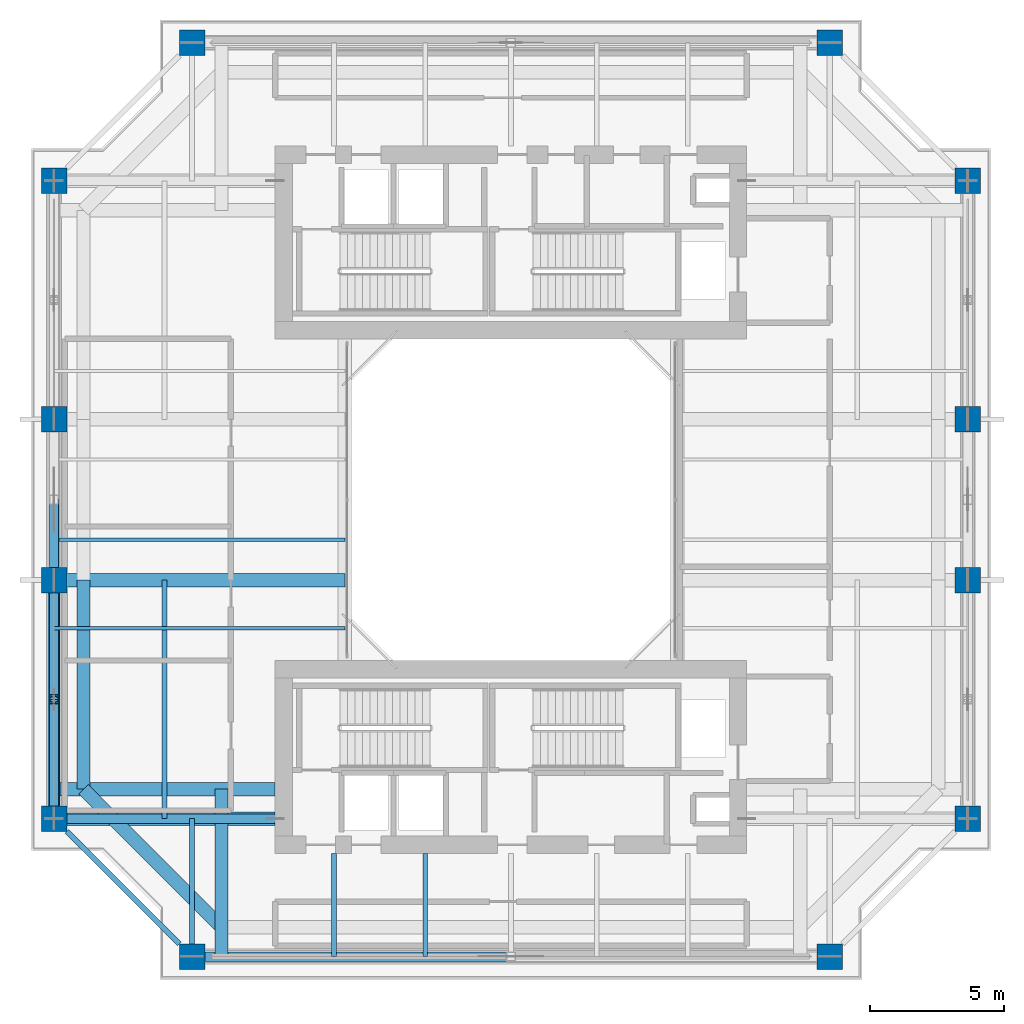
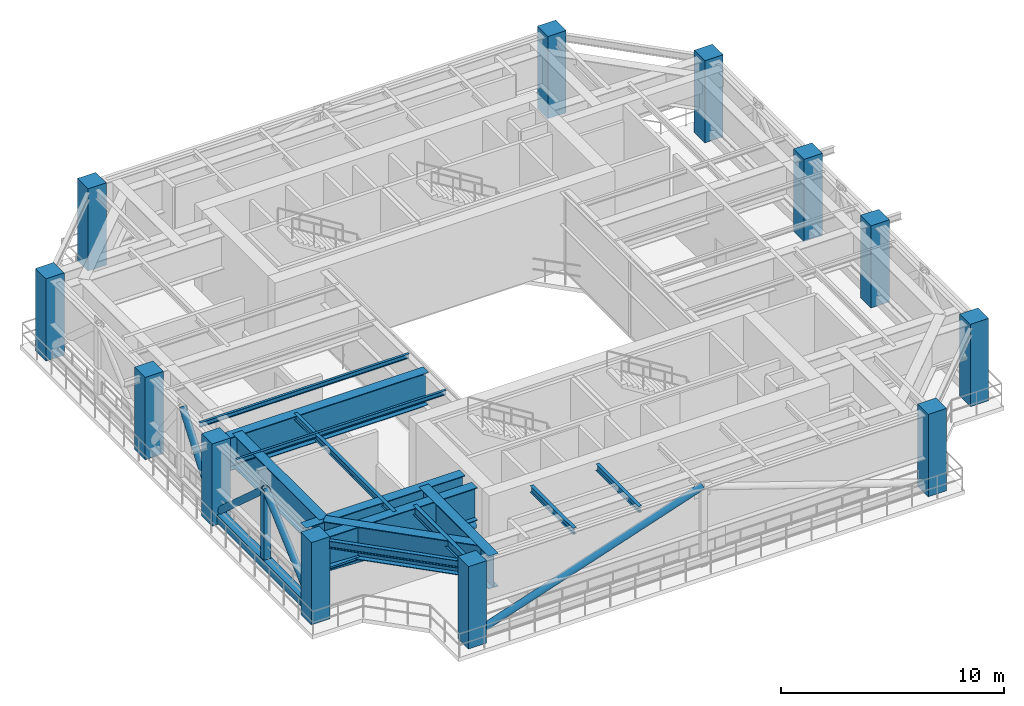
# One storey, part 1 of 11: 13 beams, 12 columns, 7 members.
"""IFC4 building model written with IfcOpenShell, lengths in metres."""

from ifc_helpers import new_model, si_unit, direction, frame, origin, origin_2d, place, context, subcontext, project, spatial, rectangle, hollow_rectangle, hollow_circle, i_section, extrude, source, transform, mapped, material, material_profile, profile_set, type_object, element, save


model = new_model("IFC4")

# Units and contexts
model_context = context("Model", 3, precision=1e-05, world=origin(), true_north=direction((0.0, 1.0)))
body_context = subcontext(model_context, "Body", "Model", "MODEL_VIEW")
ifc_project = project(units=[si_unit("LENGTHUNIT", "METRE"), si_unit("AREAUNIT", "SQUARE_METRE"), si_unit("VOLUMEUNIT", "CUBIC_METRE"), si_unit("PLANEANGLEUNIT", "RADIAN"), si_unit("MASSUNIT", "GRAM", prefix="KILO"), si_unit("THERMODYNAMICTEMPERATUREUNIT", "KELVIN"), si_unit("POWERUNIT", "WATT")], contexts=[model_context])

# Site, building, storey
site_placement = place(None, origin())
site = spatial("IfcSite", under=ifc_project, at=site_placement, CompositionType="ELEMENT")
building_placement = place(site_placement, origin())
building = spatial("IfcBuilding", under=site, at=building_placement, Name="Qiaomeng Ring Towers", CompositionType="ELEMENT")
storey_placement = place(building_placement, frame((0.0, 0.0, 186.0)))
storey = spatial("IfcBuildingStorey", under=building, at=storey_placement, Name="L54", CompositionType="ELEMENT", Elevation=186.0)

# Columns
ifc_material_1 = material(Name="Concrete C50", Category="concrete")
ifc_material_profile_1 = material_profile(ifc_material_1, rectangle(XDim=0.949951171875, YDim=0.949951171875, at=origin_2d()), Name="RC COL 950x950")
ifc_profile_set_1 = profile_set([ifc_material_profile_1], Name="Concrete C50")
column_type = type_object("IfcColumnType", Name="STR-COL-950-C50", PredefinedType="COLUMN", material=ifc_profile_set_1)
shared_shape_1 = source(origin(), body_context, "Body", "SweptSolid", [
    extrude(rectangle(XDim=0.949951171875, YDim=0.949951171875, at=origin_2d()), origin(), (0.0, 0.0, 1.0), 4.5),
])
for number, where, z_axis, x_axis, name in (
    (1, (7.10009765625, 5.949951171875, 0.0), (0.0, 0.0, 1.0), (1.0, 0.0, 0.0), "L54 column STR-COL-L54-T1-S1"),
    (2, (30.89990234375, 5.949951171875, 0.0), (0.0, 0.0, 1.0), (1.0, 0.0, 0.0), "L54 column STR-COL-L54-T1-S2"),
    (3, (36.050048828125, 11.10009765625, 0.0), (0.0, 0.0, 1.0), (1.0, 0.0, 0.0), "L54 column STR-COL-L54-T1-E1"),
    (4, (36.050048828125, 20.0, 0.0), (0.0, 0.0, 1.0), (1.0, 0.0, 0.0), "L54 column STR-COL-L54-T1-E2"),
    (5, (36.050048828125, 26.0, 0.0), (0.0, 0.0, 1.0), (1.0, 0.0, 0.0), "L54 column STR-COL-L54-T1-E3"),
    (6, (36.050048828125, 34.89990234375, 0.0), (0.0, 0.0, 1.0), (1.0, 0.0, 0.0), "L54 column STR-COL-L54-T1-E4"),
    (7, (30.89990234375, 40.050048828125, 0.0), (0.0, 0.0, 1.0), (1.0, 0.0, 0.0), "L54 column STR-COL-L54-T1-N2"),
    (8, (7.10009765625, 40.050048828125, 0.0), (0.0, 0.0, 1.0), (1.0, 0.0, 0.0), "L54 column STR-COL-L54-T1-N1"),
    (9, (1.949951171875, 34.89990234375, 0.0), (0.0, 0.0, 1.0), (1.0, 0.0, 0.0), "L54 column STR-COL-L54-T1-W4"),
    (10, (1.949951171875, 26.0, 0.0), (0.0, 0.0, 1.0), (1.0, 0.0, 0.0), "L54 column STR-COL-L54-T1-W3"),
    (11, (1.949951171875, 20.0, 0.0), (0.0, 0.0, 1.0), (1.0, 0.0, 0.0), "L54 column STR-COL-L54-T1-W2"),
    (12, (1.949951171875, 11.10009765625, 0.0), (0.0, 0.0, 1.0), (1.0, 0.0, 0.0), "L54 column STR-COL-L54-T1-W1"),
):
    element("IfcColumn", number, at=place(storey_placement, frame(where, z_axis=z_axis, x_axis=x_axis)), inside=storey, type_object=column_type, Name=name, PredefinedType="COLUMN", context=body_context, shape_type="MappedRepresentation", body=[
        mapped(shared_shape_1, transform((0.0, 0.0, 0.0), x_axis=(1.0, 0.0, 0.0), y_axis=(0.0, 1.0, 0.0), z_axis=(0.0, 0.0, 1.0), scale=1.0)),
    ])

# Member
ifc_material_2 = material(Name="Steel Q390GJC", Category="steel")
ifc_material_profile_2 = material_profile(ifc_material_2, hollow_rectangle(XDim=0.35009765625, YDim=0.35009765625, WallThickness=0.02001953125, at=origin_2d()), Name="SHS 350x350x20")
ifc_profile_set_2 = profile_set([ifc_material_profile_2], Name="Steel Q390GJC")
member_type_1 = type_object("IfcMemberType", Name="STR-MB-POST-350", PredefinedType="POST", material=ifc_profile_set_2)
shared_shape_2 = source(origin(), body_context, "Body", "SweptSolid", [
    extrude(hollow_rectangle(XDim=0.35009765625, YDim=0.35009765625, WallThickness=0.02001953125, at=origin_2d()), origin(), (0.0, 0.0, 1.0), 4.0),
])
member_1_placement = place(storey_placement, frame((1.949951171875, 15.550048828125, 0.320068359375), z_axis=(0.0, 0.0, 1.0), x_axis=(1.0, 0.0, 0.0)))
element("IfcMember", 13, at=member_1_placement, inside=storey, type_object=member_type_1, Name="L54 Belt Truss Post W2-W1", PredefinedType="POST", context=body_context, shape_type="MappedRepresentation", body=[
    mapped(shared_shape_2, transform((0.0, 0.0, 0.0), x_axis=(1.0, 0.0, 0.0), y_axis=(0.0, 1.0, 0.0), z_axis=(0.0, 0.0, 1.0), scale=1.0)),
])

# Beams
ifc_material_3 = material(Name="Steel Q355B", Category="steel")
ifc_material_profile_3 = material_profile(ifc_material_3, i_section(OverallWidth=0.175048828125, OverallDepth=0.35009765625, WebThickness=0.007080078125, FlangeThickness=0.010986328125, FilletRadius=0.013916015625, at=origin_2d()), Name="HN 350x175x7x11")
ifc_profile_set_3 = profile_set([ifc_material_profile_3], Name="Steel Q355B")
beam_type_1 = type_object("IfcBeamType", Name="STR-BM-HN350", PredefinedType="JOIST", material=ifc_profile_set_3)
shared_shape_3 = source(origin(), body_context, "Body", "SweptSolid", [
    extrude(i_section(OverallWidth=0.175048828125, OverallDepth=0.35009765625, WebThickness=0.007080078125, FlangeThickness=0.010986328125, FilletRadius=0.013916015625, at=origin_2d()), origin(), (0.0, 0.0, 1.0), 3.85009765625),
])
for number, where, z_axis, x_axis, name in (
    (14, (12.39990234375, 5.949951171875, 4.14501953125), (0.0, 1.0, 0.0), (-1.0, 0.0, 0.0), "L54 beam STR-JST-L54-T1S-1"),
    (15, (15.800048828125, 5.949951171875, 4.14501953125), (0.0, 1.0, 0.0), (-1.0, 0.0, 0.0), "L54 beam STR-JST-L54-T1S-2"),
):
    element("IfcBeam", number, at=place(storey_placement, frame(where, z_axis=z_axis, x_axis=x_axis)), inside=storey, type_object=beam_type_1, Name=name, PredefinedType="JOIST", context=body_context, shape_type="MappedRepresentation", body=[
        mapped(shared_shape_3, transform((0.0, 0.0, 0.0), x_axis=(1.0, 0.0, 0.0), y_axis=(0.0, 1.0, 0.0), z_axis=(0.0, 0.0, 1.0), scale=1.0)),
    ])
ifc_material_profile_4 = material_profile(ifc_material_3, i_section(OverallWidth=0.125, OverallDepth=0.25, WebThickness=0.006103515625, FlangeThickness=0.009033203125, FilletRadius=0.011962890625, at=origin_2d()), Name="HN 250x125x6x9")
ifc_profile_set_4 = profile_set([ifc_material_profile_4], Name="Steel Q355B")
beam_type_2 = type_object("IfcBeamType", Name="STR-BM-HN250", PredefinedType="JOIST", material=ifc_profile_set_4)
shared_shape_4 = source(origin(), body_context, "Body", "SweptSolid", [
    extrude(i_section(OverallWidth=0.125, OverallDepth=0.25, WebThickness=0.006103515625, FlangeThickness=0.009033203125, FilletRadius=0.011962890625, at=origin_2d()), origin(), (0.0, 0.0, 1.0), 10.85009765625),
])
for number, where, z_axis, x_axis, name in (
    (16, (1.949951171875, 18.199951171875, 4.195068359375), (1.0, 0.0, 0.0), (0.0, 1.0, 0.0), "L54 beam STR-JST-L54-T1W-1"),
    (17, (1.949951171875, 21.5, 4.195068359375), (1.0, 0.0, 0.0), (0.0, 1.0, 0.0), "L54 beam STR-JST-L54-T1W-2"),
):
    element("IfcBeam", number, at=place(storey_placement, frame(where, z_axis=z_axis, x_axis=x_axis)), inside=storey, type_object=beam_type_2, Name=name, PredefinedType="JOIST", context=body_context, shape_type="MappedRepresentation", body=[
        mapped(shared_shape_4, transform((0.0, 0.0, 0.0), x_axis=(1.0, 0.0, 0.0), y_axis=(0.0, 1.0, 0.0), z_axis=(0.0, 0.0, 1.0), scale=1.0)),
    ])
shared_shape_5 = source(origin(), body_context, "Body", "SweptSolid", [
    extrude(i_section(OverallWidth=0.175048828125, OverallDepth=0.35009765625, WebThickness=0.007080078125, FlangeThickness=0.010986328125, FilletRadius=0.013916015625, at=origin_2d()), origin(), (0.0, 0.0, 1.0), 8.89990234375),
])
beam_1_placement = place(storey_placement, frame((6.074951171875, 11.10009765625, 4.14501953125), z_axis=(0.0, 1.0, 0.0), x_axis=(-1.0, 0.0, 0.0)))
element("IfcBeam", 18, at=beam_1_placement, inside=storey, type_object=beam_type_1, Name="L54 beam STR-JST-L54-T1C-WS", PredefinedType="JOIST", context=body_context, shape_type="MappedRepresentation", body=[
    mapped(shared_shape_5, transform((0.0, 0.0, 0.0), x_axis=(1.0, 0.0, 0.0), y_axis=(0.0, 1.0, 0.0), z_axis=(0.0, 0.0, 1.0), scale=1.0)),
])

# Members
ifc_material_profile_5 = material_profile(ifc_material_2, hollow_circle(Radius=0.177978515625, WallThickness=0.02001953125, at=origin_2d()), Name="CHS 356x20")
ifc_profile_set_5 = profile_set([ifc_material_profile_5], Name="Steel Q390GJC")
member_type_2 = type_object("IfcMemberType", Name="STR-MB-BR-356", PredefinedType="BRACE", material=ifc_profile_set_5)
shared_shape_6 = source(origin(), body_context, "Body", "SweptSolid", [
    extrude(hollow_circle(Radius=0.177978515625, WallThickness=0.02001953125, at=origin_2d()), origin(), (0.0, 0.0, 1.0), 12.5478515625),
])
member_2_placement = place(storey_placement, frame((7.10009765625, 5.949951171875, 0.320068359375), z_axis=(0.948363723431, 0.0, 0.317184879967), x_axis=(0.0, 1.0, 0.0)))
element("IfcMember", 19, at=member_2_placement, inside=storey, type_object=member_type_2, Name="L54 Belt Truss Diagonal S1-M", PredefinedType="BRACE", context=body_context, shape_type="MappedRepresentation", body=[
    mapped(shared_shape_6, transform((0.0, 0.0, 0.0), x_axis=(1.0, 0.0, 0.0), y_axis=(0.0, 1.0, 0.0), z_axis=(0.0, 0.0, 1.0), scale=1.0)),
])
shared_shape_7 = source(origin(), body_context, "Body", "SweptSolid", [
    extrude(hollow_circle(Radius=0.177978515625, WallThickness=0.02001953125, at=origin_2d()), origin(), (0.0, 0.0, 1.0), 5.97021484375),
])
for number, where, z_axis, x_axis, name in (
    (20, (1.949951171875, 20.0, 0.320068359375), (0.0, -0.745370712537, 0.666650208799), (1.0, 0.0, 0.0), "L54 Belt Truss Diagonal W2-M"),
    (21, (1.949951171875, 11.10009765625, 0.320068359375), (0.0, 0.745370712537, 0.666650208799), (-1.0, 0.0, 0.0), "L54 Belt Truss Diagonal W1-M"),
):
    element("IfcMember", number, at=place(storey_placement, frame(where, z_axis=z_axis, x_axis=x_axis)), inside=storey, type_object=member_type_2, Name=name, PredefinedType="BRACE", context=body_context, shape_type="MappedRepresentation", body=[
        mapped(shared_shape_7, transform((0.0, 0.0, 0.0), x_axis=(1.0, 0.0, 0.0), y_axis=(0.0, 1.0, 0.0), z_axis=(0.0, 0.0, 1.0), scale=1.0)),
    ])
shared_shape_8 = source(origin(), body_context, "Body", "SweptSolid", [
    extrude(hollow_circle(Radius=0.177978515625, WallThickness=0.02001953125, at=origin_2d()), origin(), (0.0, 0.0, 1.0), 4.98388671875),
])
member_3_placement = place(storey_placement, frame((1.949951171875, 20.0, 0.320068359375), z_axis=(0.0, 0.601926302674, 0.798551642757), x_axis=(-1.0, 0.0, 0.0)))
element("IfcMember", 22, at=member_3_placement, inside=storey, type_object=member_type_2, Name="L54 Belt Truss Diagonal W2-M", PredefinedType="BRACE", context=body_context, shape_type="MappedRepresentation", body=[
    mapped(shared_shape_8, transform((0.0, 0.0, 0.0), x_axis=(1.0, 0.0, 0.0), y_axis=(0.0, 1.0, 0.0), z_axis=(0.0, 0.0, 1.0), scale=1.0)),
])

# Beams
ifc_material_profile_6 = material_profile(ifc_material_3, i_section(OverallWidth=0.199951171875, OverallDepth=0.39990234375, WebThickness=0.008056640625, FlangeThickness=0.012939453125, FilletRadius=0.01611328125, at=origin_2d()), Name="HN 400x200x8x13")
ifc_profile_set_6 = profile_set([ifc_material_profile_6], Name="Steel Q355B")
beam_type_3 = type_object("IfcBeamType", Name="STR-BM-HN400", PredefinedType="SPANDREL", material=ifc_profile_set_6)
shared_shape_9 = source(origin(), body_context, "Body", "SweptSolid", [
    extrude(i_section(OverallWidth=0.199951171875, OverallDepth=0.39990234375, WebThickness=0.008056640625, FlangeThickness=0.012939453125, FilletRadius=0.01611328125, at=origin_2d()), origin(), (0.0, 0.0, 1.0), 5.941650390625),
])
beam_2_placement = place(storey_placement, frame((2.42431640625, 10.625732421875, 4.1201171875), z_axis=(0.707106781187, -0.707106781187, 0.0), x_axis=(0.707106781187, 0.707106781187, 0.0)))
element("IfcBeam", 23, at=beam_2_placement, inside=storey, type_object=beam_type_3, Name="L54 beam STR-SP-L54-T1-W1-S1", PredefinedType="SPANDREL", context=body_context, shape_type="MappedRepresentation", body=[
    mapped(shared_shape_9, transform((0.0, 0.0, 0.0), x_axis=(1.0, 0.0, 0.0), y_axis=(0.0, 1.0, 0.0), z_axis=(0.0, 0.0, 1.0), scale=1.0)),
])
ifc_material_profile_7 = material_profile(ifc_material_3, i_section(OverallWidth=0.199951171875, OverallDepth=0.5, WebThickness=0.010009765625, FlangeThickness=0.01611328125, FilletRadius=0.02001953125, at=origin_2d()), Name="HN 500x200x10x16")
ifc_profile_set_7 = profile_set([ifc_material_profile_7], Name="Steel Q355B")
beam_type_4 = type_object("IfcBeamType", Name="STR-BM-HN500", PredefinedType="BEAM", material=ifc_profile_set_7)
shared_shape_10 = source(origin(), body_context, "Body", "SweptSolid", [
    extrude(i_section(OverallWidth=0.199951171875, OverallDepth=0.5, WebThickness=0.010009765625, FlangeThickness=0.01611328125, FilletRadius=0.02001953125, at=origin_2d()), origin(), (0.0, 0.0, 1.0), 4.676025390625),
])
beam_3_placement = place(storey_placement, frame((7.10009765625, 6.424072265625, 4.070068359375), z_axis=(0.0, 1.0, 0.0), x_axis=(-1.0, 0.0, 0.0)))
element("IfcBeam", 24, at=beam_3_placement, inside=storey, type_object=beam_type_4, Name="L54 beam STR-BM-L54-T1-RAD-S1", PredefinedType="BEAM", context=body_context, shape_type="MappedRepresentation", body=[
    mapped(shared_shape_10, transform((0.0, 0.0, 0.0), x_axis=(1.0, 0.0, 0.0), y_axis=(0.0, 1.0, 0.0), z_axis=(0.0, 0.0, 1.0), scale=1.0)),
])
ifc_material_profile_8 = material_profile(ifc_material_2, i_section(OverallWidth=0.5, OverallDepth=1.800048828125, WebThickness=0.02392578125, FlangeThickness=0.035888671875, at=origin_2d()), Name="WH 1800x500x24x36")
ifc_profile_set_8 = profile_set([ifc_material_profile_8], Name="Steel Q390GJC")
beam_type_5 = type_object("IfcBeamType", Name="STR-TG-WH1800", PredefinedType="USERDEFINED", material=ifc_profile_set_8)
shared_shape_11 = source(origin(), body_context, "Body", "SweptSolid", [
    extrude(i_section(OverallWidth=0.5, OverallDepth=1.800048828125, WebThickness=0.02392578125, FlangeThickness=0.035888671875, at=origin_2d()), origin(), (0.0, 0.0, 1.0), 7.77587890625),
])
beam_4_placement = place(storey_placement, frame((2.424072265625, 11.10009765625, 3.419921875), z_axis=(1.0, 0.0, 0.0), x_axis=(0.0, 1.0, 0.0)))
element("IfcBeam", 25, at=beam_4_placement, inside=storey, type_object=beam_type_5, Name="L54 Transfer Girder STR-TG2-L54-W1-CUR", ObjectType="TRANSFER GIRDER", PredefinedType="USERDEFINED", context=body_context, shape_type="MappedRepresentation", body=[
    mapped(shared_shape_11, transform((0.0, 0.0, 0.0), x_axis=(1.0, 0.0, 0.0), y_axis=(0.0, 1.0, 0.0), z_axis=(0.0, 0.0, 1.0), scale=1.0)),
])
shared_shape_12 = source(origin(), body_context, "Body", "SweptSolid", [
    extrude(i_section(OverallWidth=0.5, OverallDepth=1.800048828125, WebThickness=0.02392578125, FlangeThickness=0.035888671875, at=origin_2d()), origin(), (0.0, 0.0, 1.0), 8.25),
])
beam_5_placement = place(storey_placement, frame((1.949951171875, 12.199951171875, 3.419921875), z_axis=(1.0, 0.0, 0.0), x_axis=(0.0, 1.0, 0.0)))
element("IfcBeam", 26, at=beam_5_placement, inside=storey, type_object=beam_type_5, Name="L54 Transfer Girder STR-TG2-L54-W1-NXT", ObjectType="TRANSFER GIRDER", PredefinedType="USERDEFINED", context=body_context, shape_type="MappedRepresentation", body=[
    mapped(shared_shape_12, transform((0.0, 0.0, 0.0), x_axis=(1.0, 0.0, 0.0), y_axis=(0.0, 1.0, 0.0), z_axis=(0.0, 0.0, 1.0), scale=1.0)),
])
shared_shape_13 = source(origin(), body_context, "Body", "SweptSolid", [
    extrude(i_section(OverallWidth=0.5, OverallDepth=1.800048828125, WebThickness=0.02392578125, FlangeThickness=0.035888671875, at=origin_2d()), origin(), (0.0, 0.0, 1.0), 10.3759765625),
])
beam_6_placement = place(storey_placement, frame((2.424072265625, 20.0, 3.419921875), z_axis=(1.0, 0.0, 0.0), x_axis=(0.0, 1.0, 0.0)))
element("IfcBeam", 27, at=beam_6_placement, inside=storey, type_object=beam_type_5, Name="L54 Transfer Girder STR-TG2-L54-W2", ObjectType="TRANSFER GIRDER", PredefinedType="USERDEFINED", context=body_context, shape_type="MappedRepresentation", body=[
    mapped(shared_shape_13, transform((0.0, 0.0, 0.0), x_axis=(1.0, 0.0, 0.0), y_axis=(0.0, 1.0, 0.0), z_axis=(0.0, 0.0, 1.0), scale=1.0)),
])
shared_shape_14 = source(origin(), body_context, "Body", "SweptSolid", [
    extrude(i_section(OverallWidth=0.5, OverallDepth=1.800048828125, WebThickness=0.02392578125, FlangeThickness=0.035888671875, at=origin_2d()), origin(), (0.0, 0.0, 1.0), 6.25),
])
beam_7_placement = place(storey_placement, frame((8.199951171875, 5.949951171875, 3.419921875), z_axis=(0.0, 1.0, 0.0), x_axis=(-1.0, 0.0, 0.0)))
element("IfcBeam", 28, at=beam_7_placement, inside=storey, type_object=beam_type_5, Name="L54 Transfer Girder STR-TG2-L54-S1", ObjectType="TRANSFER GIRDER", PredefinedType="USERDEFINED", context=body_context, shape_type="MappedRepresentation", body=[
    mapped(shared_shape_14, transform((0.0, 0.0, 0.0), x_axis=(1.0, 0.0, 0.0), y_axis=(0.0, 1.0, 0.0), z_axis=(0.0, 0.0, 1.0), scale=1.0)),
])
shared_shape_15 = source(origin(), body_context, "Body", "SweptSolid", [
    extrude(i_section(OverallWidth=0.5, OverallDepth=1.800048828125, WebThickness=0.02392578125, FlangeThickness=0.035888671875, at=origin_2d()), origin(), (0.0, 0.0, 1.0), 7.282958984375),
])
beam_8_placement = place(storey_placement, frame((3.050048828125, 12.199951171875, 3.419921875), z_axis=(0.707106781187, -0.707106781187, 0.0), x_axis=(0.707106781187, 0.707106781187, 0.0)))
element("IfcBeam", 29, at=beam_8_placement, inside=storey, type_object=beam_type_5, Name="L54 Transfer Girder STR-TG3-L54-W1-S1", ObjectType="TRANSFER GIRDER", PredefinedType="USERDEFINED", context=body_context, shape_type="MappedRepresentation", body=[
    mapped(shared_shape_15, transform((0.0, 0.0, 0.0), x_axis=(1.0, 0.0, 0.0), y_axis=(0.0, 1.0, 0.0), z_axis=(0.0, 0.0, 1.0), scale=1.0)),
])
shared_shape_16 = source(origin(), body_context, "Body", "SweptSolid", [
    extrude(i_section(OverallWidth=0.5, OverallDepth=1.800048828125, WebThickness=0.02392578125, FlangeThickness=0.035888671875, at=origin_2d()), origin(), (0.0, 0.0, 1.0), 7.800048828125),
])
beam_9_placement = place(storey_placement, frame((3.050048828125, 20.0, 3.419921875), z_axis=(0.0, -1.0, 0.0), x_axis=(1.0, 0.0, 0.0)))
element("IfcBeam", 30, at=beam_9_placement, inside=storey, type_object=beam_type_5, Name="L54 Transfer Girder STR-TG3-L54-W2-W1", ObjectType="TRANSFER GIRDER", PredefinedType="USERDEFINED", context=body_context, shape_type="MappedRepresentation", body=[
    mapped(shared_shape_16, transform((0.0, 0.0, 0.0), x_axis=(1.0, 0.0, 0.0), y_axis=(0.0, 1.0, 0.0), z_axis=(0.0, 0.0, 1.0), scale=1.0)),
])

# Members
ifc_material_profile_9 = material_profile(ifc_material_2, hollow_rectangle(XDim=0.449951171875, YDim=0.449951171875, WallThickness=0.028076171875, at=origin_2d()), Name="SHS 450x450x28")
ifc_profile_set_9 = profile_set([ifc_material_profile_9], Name="Steel Q390GJC")
member_type_3 = type_object("IfcMemberType", Name="STR-MB-CHORD-450", PredefinedType="CHORD", material=ifc_profile_set_9)
shared_shape_17 = source(origin(), body_context, "Body", "SweptSolid", [
    extrude(hollow_rectangle(XDim=0.449951171875, YDim=0.449951171875, WallThickness=0.028076171875, at=origin_2d()), origin(), (0.0, 0.0, 1.0), 8.89990234375),
])
member_4_placement = place(storey_placement, frame((1.949951171875, 20.0, 0.320068359375), z_axis=(0.0, -1.0, 0.0), x_axis=(1.0, 0.0, 0.0)))
element("IfcMember", 31, at=member_4_placement, inside=storey, type_object=member_type_3, Name="L54 Belt Truss Bottom Chord W2-W1", PredefinedType="CHORD", context=body_context, shape_type="MappedRepresentation", body=[
    mapped(shared_shape_17, transform((0.0, 0.0, 0.0), x_axis=(1.0, 0.0, 0.0), y_axis=(0.0, 1.0, 0.0), z_axis=(0.0, 0.0, 1.0), scale=1.0)),
])
shared_shape_18 = source(origin(), body_context, "Body", "SweptSolid", [
    extrude(hollow_circle(Radius=0.177978515625, WallThickness=0.02001953125, at=origin_2d()), origin(), (0.0, 0.0, 1.0), 8.25732421875),
])
member_5_placement = place(storey_placement, frame((10.199951171875, 11.10009765625, 2.14990234375), z_axis=(-0.999100803863, 0.0, 0.042397921187), x_axis=(0.0, -1.0, 0.0)))
element("IfcMember", 32, at=member_5_placement, inside=storey, type_object=member_type_2, Name="L54 Core Outrigger Truss Diagonal W1", PredefinedType="BRACE", context=body_context, shape_type="MappedRepresentation", body=[
    mapped(shared_shape_18, transform((0.0, 0.0, 0.0), x_axis=(1.0, 0.0, 0.0), y_axis=(0.0, 1.0, 0.0), z_axis=(0.0, 0.0, 1.0), scale=1.0)),
])

save(model, "model.ifc")
